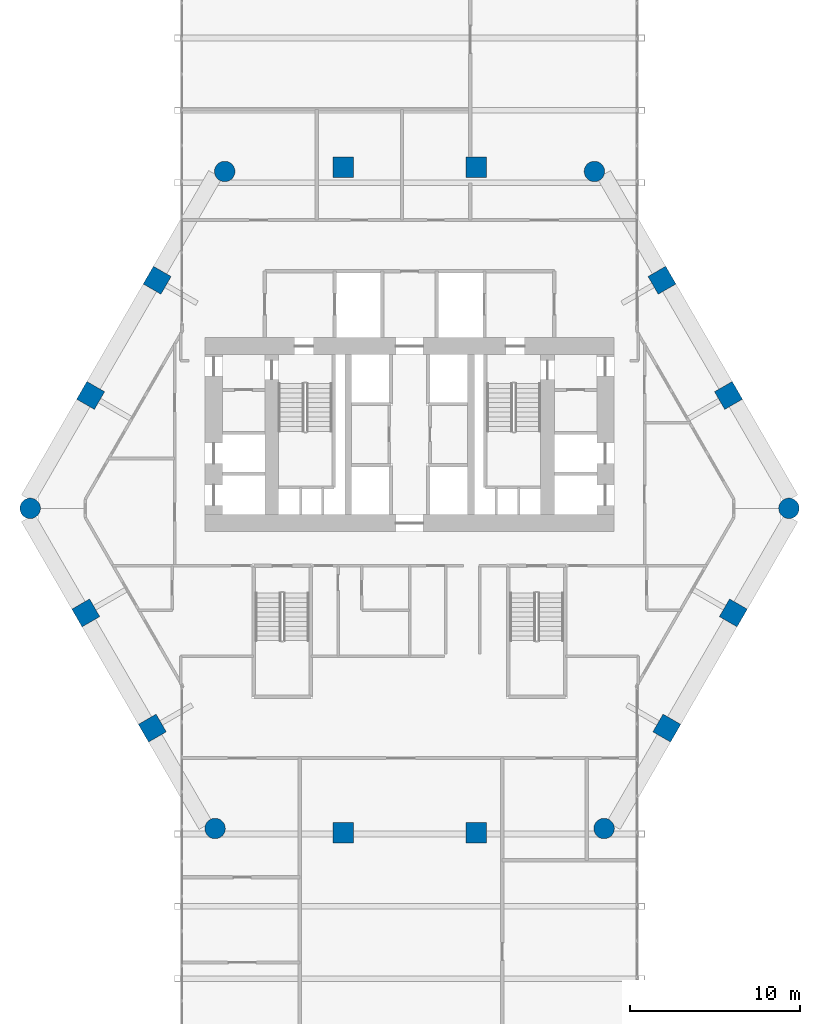
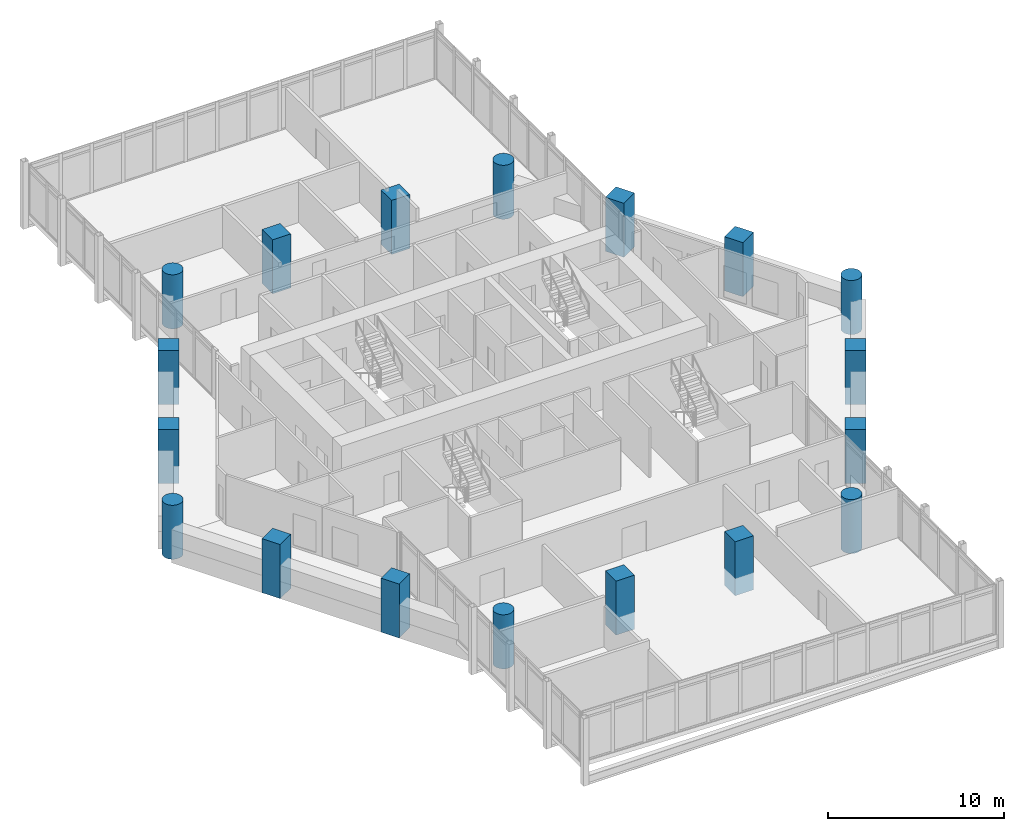
# One storey, part 1 of 28: 18 columns.
"""IFC4 building model written with IfcOpenShell, lengths in metres."""

import ifcopenshell
import ifcopenshell.guid

model = None  # the IFC model being written
_history = None  # IfcOwnerHistory: only IFC2X3 demands one
_inside = {}  # id of a spatial element -> (the spatial element, [elements in it])
_under = {}  # id of a project, library or spatial element -> (it, [spatial elements below it])
_declared = {}  # id of a project -> (the project, [libraries it declares])
_typed = {}  # id of a type object -> (the type object, [elements of that type])
_made_of = {}  # id of a material, layer set ... -> (it, [elements and type objects made of it])


def new_model(schema):
    """Start an empty IFC model of exactly this schema.

    Asked for "IFC4X3", IfcOpenShell would pick the latest addendum, in which some entities
    have other attributes; the version numbers below select the first issue.
    IFC2X3 requires an IfcOwnerHistory on every rooted entity: one is made here for all.
    """
    global model, _history
    if schema == "IFC4X3":
        model = ifcopenshell.file(schema_version=(4, 3, 0, 0))
    else:
        model = ifcopenshell.file(schema=schema)
    _inside.clear()
    _under.clear()
    _declared.clear()
    _typed.clear()
    _made_of.clear()
    _history = None
    if model.schema == "IFC2X3":
        org = make("IfcOrganization", Name="unknown")
        user = make(
            "IfcPersonAndOrganization",
            ThePerson=make("IfcPerson", FamilyName="unknown"),
            TheOrganization=org,
        )
        app = make(
            "IfcApplication",
            ApplicationDeveloper=org,
            Version="unknown",
            ApplicationFullName="unknown",
            ApplicationIdentifier="unknown",
        )
        _history = make(
            "IfcOwnerHistory",
            OwningUser=user,
            OwningApplication=app,
            ChangeAction="ADDED",
            CreationDate=0,
        )
    return model


def make(cls, **values):
    """One entity of the class cls with the attributes given. An attribute that is None is left unset."""
    return model.create_entity(
        cls, **{name: value for name, value in values.items() if value is not None}
    )


def rooted(cls, **values):
    """An entity with a GlobalId (a new one), such as an element, a storey or a relation."""
    return make(cls, GlobalId=ifcopenshell.guid.new(), OwnerHistory=_history, **values)


def si_unit(unit_type, name, prefix=None):
    """IfcSIUnit, for example si_unit("LENGTHUNIT", "METRE", prefix="MILLI")."""
    return make("IfcSIUnit", UnitType=unit_type, Prefix=prefix, Name=name)


def assignment(units):
    """IfcUnitAssignment: the units of a project."""
    return None if units is None else make("IfcUnitAssignment", Units=units)


def point(xyz):
    """IfcCartesianPoint."""
    return None if xyz is None else make("IfcCartesianPoint", Coordinates=xyz)


def direction(xyz):
    """IfcDirection."""
    return None if xyz is None else make("IfcDirection", DirectionRatios=xyz)


def frame(location, z_axis=None, x_axis=None):
    """IfcAxis2Placement3D, a coordinate frame: its origin and axes. An axis left out is left unset."""
    return make(
        "IfcAxis2Placement3D",
        Location=point(location),
        Axis=direction(z_axis),
        RefDirection=direction(x_axis),
    )


def frame_2d(location, x_axis=None):
    """IfcAxis2Placement2D, a coordinate frame in the plane: its origin and x axis."""
    return make(
        "IfcAxis2Placement2D", Location=point(location), RefDirection=direction(x_axis)
    )


def origin():
    """The frame at (0, 0, 0) with its axes left unset."""
    return frame((0.0, 0.0, 0.0))


def origin_2d():
    """The frame at (0, 0) in the plane with its x axis left unset."""
    return frame_2d((0.0, 0.0))


def place(relative_to, where):
    """IfcLocalPlacement: puts the frame where relative to a parent placement (None: the world)."""
    return make(
        "IfcLocalPlacement", PlacementRelTo=relative_to, RelativePlacement=where
    )


def context(
    kind, dimensions, precision=None, world=None, true_north=None, identifier=None
):
    """IfcGeometricRepresentationContext, for example the 3D "Model" context."""
    return make(
        "IfcGeometricRepresentationContext",
        ContextIdentifier=identifier,
        ContextType=kind,
        CoordinateSpaceDimension=dimensions,
        Precision=precision,
        WorldCoordinateSystem=world,
        TrueNorth=true_north,
    )


def subcontext(parent, identifier, kind, view, scale=None):
    """IfcGeometricRepresentationSubContext, for example "Body" below "Model"."""
    return make(
        "IfcGeometricRepresentationSubContext",
        ContextIdentifier=identifier,
        ContextType=kind,
        ParentContext=parent,
        TargetScale=scale,
        TargetView=view,
    )


def project(units=None, contexts=None):
    """IfcProject with its units and contexts."""
    return rooted(
        "IfcProject",
        Name="project",
        RepresentationContexts=contexts,
        UnitsInContext=assignment(units),
    )


def spatial(cls, under=None, at=None, **own):
    """A site, building, storey or space (cls), placed at a placement, below another one or the project."""
    s = rooted(cls, ObjectPlacement=at, **own)
    if under is not None:
        _under.setdefault(under.id(), (under, []))[1].append(s)
    return s


def profile(cls, at=None, kind="AREA", **sizes):
    """A parametric profile (cls). Its sizes go by their IFC names, for example OverallWidth=200.0."""
    return make(cls, ProfileType=kind, Position=at, **sizes)


def rectangle(**sizes):
    """IfcRectangleProfileDef."""
    return profile("IfcRectangleProfileDef", **sizes)


def circle(**sizes):
    """IfcCircleProfileDef."""
    return profile("IfcCircleProfileDef", **sizes)


def extrude(swept, where, along, depth):
    """IfcExtrudedAreaSolid: the profile swept, set in the frame where, extruded along a direction by depth."""
    return make(
        "IfcExtrudedAreaSolid",
        SweptArea=swept,
        Position=where,
        ExtrudedDirection=direction(along),
        Depth=depth,
    )


def shape(context_of_items, identifier, shape_type, items):
    """IfcShapeRepresentation: the items that make up one representation, for example the "Body"."""
    return make(
        "IfcShapeRepresentation",
        ContextOfItems=context_of_items,
        RepresentationIdentifier=identifier,
        RepresentationType=shape_type,
        Items=items,
    )


def material(Name=None, Category=None):
    """IfcMaterial."""
    return make("IfcMaterial", Name=Name, Category=Category)


def material_profile(
    of_material, cross_section, Name=None, Category=None, Priority=None
):
    """IfcMaterialProfile: a cross section and its material."""
    return make(
        "IfcMaterialProfile",
        Name=Name,
        Material=of_material,
        Profile=cross_section,
        Priority=Priority,
        Category=Category,
    )


def profile_set(profiles, Name=None, composite=None):
    """IfcMaterialProfileSet."""
    return make(
        "IfcMaterialProfileSet",
        Name=Name,
        MaterialProfiles=profiles,
        CompositeProfile=composite,
    )


def made_of(thing, what):
    """Note that an element or type object is made of a material, layer set ...; save() writes the relation."""
    if what is not None:
        _made_of.setdefault(what.id(), (what, []))[1].append(thing)
    return thing


def type_object(cls, material=None, **own):
    """A type object (cls), such as IfcWallType, which elements share."""
    return made_of(rooted(cls, **own), material)


def element(
    cls,
    number,
    at=None,
    inside=None,
    cuts=None,
    type_object=None,
    material=None,
    context=None,
    identifier="Body",
    shape_type=None,
    held_by="IfcProductDefinitionShape",
    body=None,
    shapes=None,
    **own,
):
    """One element of the class cls, such as IfcWall. Its Tag is "e" and its number.

    at: its placement. inside: the storey or other place that contains it. cuts: it is an
    opening in that element (IfcRelVoidsElement). A single representation is given by context,
    identifier, shape_type and body (its items); several are given by shapes. held_by: the class
    of the entity that holds the representations. save() writes the other relations.
    """
    e = rooted(cls, Tag="e%d" % number, ObjectPlacement=at, **own)
    if body is not None:
        shapes = [shape(context, identifier, shape_type, body)]
    if shapes is not None:
        e.Representation = make(held_by, Representations=shapes)
    if inside is not None:
        _inside.setdefault(inside.id(), (inside, []))[1].append(e)
    if cuts is not None:
        rooted(
            "IfcRelVoidsElement", RelatingBuildingElement=cuts, RelatedOpeningElement=e
        )
    if type_object is not None:
        _typed.setdefault(type_object.id(), (type_object, []))[1].append(e)
    return made_of(e, material)


def aggregate(whole, parts):
    """IfcRelAggregates: a whole, such as a stair, and the parts it consists of."""
    return rooted("IfcRelAggregates", RelatingObject=whole, RelatedObjects=parts)


def save(model, path):
    """Write the relations noted so far, then the file.

    IfcRelAggregates (storeys below a building ...), IfcRelContainedInSpatialStructure (elements
    in a storey), IfcRelDefinesByType, IfcRelAssociatesMaterial and IfcRelDeclares: one each for
    every whole, place, type object, material and project.
    """
    for whole, parts in _under.values():
        aggregate(whole, parts)
    for where, things in _inside.values():
        rooted(
            "IfcRelContainedInSpatialStructure",
            RelatedElements=things,
            RelatingStructure=where,
        )
    for kind, things in _typed.values():
        rooted("IfcRelDefinesByType", RelatedObjects=things, RelatingType=kind)
    for what, things in _made_of.values():
        rooted("IfcRelAssociatesMaterial", RelatedObjects=things, RelatingMaterial=what)
    for by, libraries in _declared.values():
        rooted("IfcRelDeclares", RelatingContext=by, RelatedDefinitions=libraries)
    model.write(path)


model = new_model("IFC4")

# Units and contexts
model_context = context("Model", 3, precision=1e-05, world=origin(), true_north=direction((0.0, 1.0)))
body_context = subcontext(model_context, "Body", "Model", "MODEL_VIEW")
ifc_project = project(units=[si_unit("LENGTHUNIT", "METRE"), si_unit("AREAUNIT", "SQUARE_METRE"), si_unit("VOLUMEUNIT", "CUBIC_METRE"), si_unit("PLANEANGLEUNIT", "RADIAN"), si_unit("MASSUNIT", "GRAM", prefix="KILO")], contexts=[model_context])

# Site, building, storey
site_placement = place(None, origin())
site = spatial("IfcSite", under=ifc_project, at=site_placement, CompositionType="ELEMENT")
building_placement = place(site_placement, origin())
building = spatial("IfcBuilding", under=site, at=building_placement, Name="Ostrander Bayou Hotel Tower", CompositionType="ELEMENT")
storey_placement = place(building_placement, frame((0.0, 0.0, 104.25)))
storey = spatial("IfcBuildingStorey", under=building, at=storey_placement, Name="L26", CompositionType="ELEMENT", Elevation=104.25)

# Columns
ifc_material_1 = material(Name="Concrete f'c 70 MPa", Category="concrete")
ifc_material_profile_1 = material_profile(ifc_material_1, circle(Radius=0.60009765625, at=origin_2d()))
ifc_profile_set_1 = profile_set([ifc_material_profile_1], Name="Concrete f'c 70 MPa")
column_type_1 = type_object("IfcColumnType", Name="C3 round column 1200 mm f'c 70 MPa", PredefinedType="COLUMN", material=ifc_profile_set_1)
for number, where, z_axis, x_axis, name in (
    (1, (-10.856689453125, 19.458740234375, -1.199951171875), (0.0, 0.0, 1.0), (1.0, 0.0, 0.0), "C3 L26 K0"),
    (2, (-22.2802734375, -0.327392578125, -1.199951171875), (0.0, 0.0, 1.0), (1.0, 0.0, 0.0), "C3 L26 K1"),
    (3, (-11.423583984375, -19.131591796875, -1.199951171875), (0.0, 0.0, 1.0), (1.0, 0.0, 0.0), "C3 L26 K2"),
    (4, (11.423583984375, -19.131591796875, -1.199951171875), (0.0, 0.0, 1.0), (1.0, 0.0, 0.0), "C3 L26 K3"),
    (5, (22.2802734375, -0.327392578125, -1.199951171875), (0.0, 0.0, 1.0), (1.0, 0.0, 0.0), "C3 L26 K4"),
    (6, (10.856689453125, 19.458740234375, -1.199951171875), (0.0, 0.0, 1.0), (1.0, 0.0, 0.0), "C3 L26 K5"),
):
    element("IfcColumn", number, at=place(storey_placement, frame(where, z_axis=z_axis, x_axis=x_axis)), inside=storey, type_object=column_type_1, Name=name, PredefinedType="COLUMN", context=body_context, shape_type="SweptSolid", body=[
        extrude(circle(Radius=0.60009765625, at=origin_2d()), origin(), (0.0, 0.0, 1.0), 3.75),
    ])
ifc_material_2 = material(Name="Concrete f'c 70 MPa", Category="concrete")
ifc_material_profile_2 = material_profile(ifc_material_2, rectangle(XDim=1.199951171875, YDim=1.199951171875, at=origin_2d()))
ifc_profile_set_2 = profile_set([ifc_material_profile_2], Name="Concrete f'c 70 MPa")
column_type_2 = type_object("IfcColumnType", Name="C4 square column 1200 x 1200 mm f'c 70 MPa", PredefinedType="COLUMN", material=ifc_profile_set_2)
for number, where, z_axis, x_axis, name in (
    (7, (3.90673828125, 19.699951171875, -1.199951171875), (0.0, 0.0, 1.0), (1.0, 0.0, 0.0), "C4 L26 N1"),
    (8, (-3.90673828125, 19.699951171875, -1.199951171875), (0.0, 0.0, 1.0), (1.0, 0.0, 0.0), "C4 L26 N2"),
    (9, (-14.823974609375, 13.069580078125, -1.199951171875), (0.0, 0.0, 1.0), (0.5, 0.866025403784, 0.0), "C4 L26 NW1"),
    (10, (-18.730712890625, 6.302978515625, -1.199951171875), (0.0, 0.0, 1.0), (0.5, 0.866025403784, 0.0), "C4 L26 NW2"),
    (11, (-19.01416015625, -6.466796875, -1.199951171875), (0.0, 0.0, 1.0), (-0.5, 0.866025403784, 0.0), "C4 L26 SW1"),
    (12, (-15.107421875, -13.2333984375, -1.199951171875), (0.0, 0.0, 1.0), (-0.5, 0.866025403784, 0.0), "C4 L26 SW2"),
    (13, (-3.90673828125, -19.372802734375, -1.199951171875), (0.0, 0.0, 1.0), (-1.0, 0.0, 0.0), "C4 L26 S1"),
    (14, (3.90673828125, -19.372802734375, -1.199951171875), (0.0, 0.0, 1.0), (-1.0, 0.0, 0.0), "C4 L26 S2"),
    (15, (15.107421875, -13.2333984375, -1.199951171875), (0.0, 0.0, 1.0), (-0.5, -0.866025403784, 0.0), "C4 L26 SE1"),
    (16, (19.01416015625, -6.466796875, -1.199951171875), (0.0, 0.0, 1.0), (-0.5, -0.866025403784, 0.0), "C4 L26 SE2"),
    (17, (18.730712890625, 6.302978515625, -1.199951171875), (0.0, 0.0, 1.0), (0.5, -0.866025403784, 0.0), "C4 L26 NE1"),
    (18, (14.823974609375, 13.069580078125, -1.199951171875), (0.0, 0.0, 1.0), (0.5, -0.866025403784, 0.0), "C4 L26 NE2"),
):
    element("IfcColumn", number, at=place(storey_placement, frame(where, z_axis=z_axis, x_axis=x_axis)), inside=storey, type_object=column_type_2, Name=name, PredefinedType="COLUMN", context=body_context, shape_type="SweptSolid", body=[
        extrude(rectangle(XDim=1.199951171875, YDim=1.199951171875, at=origin_2d()), origin(), (0.0, 0.0, 1.0), 3.75),
    ])

save(model, "model.ifc")
